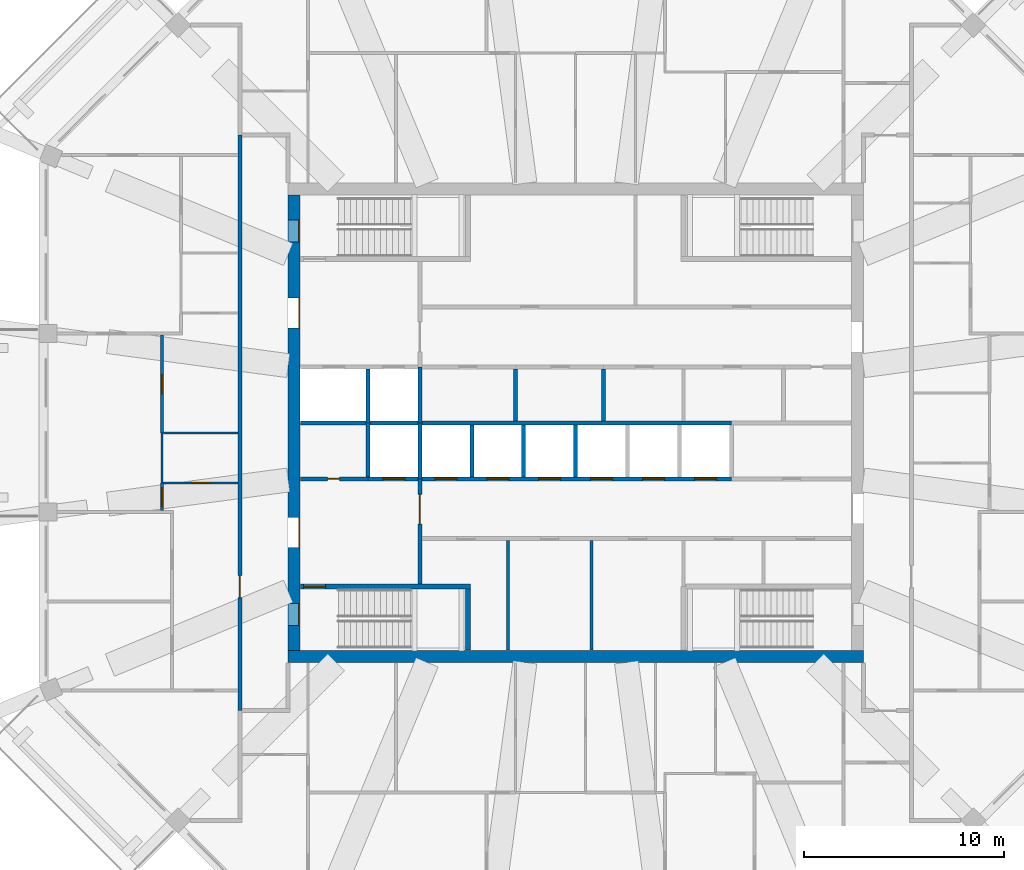
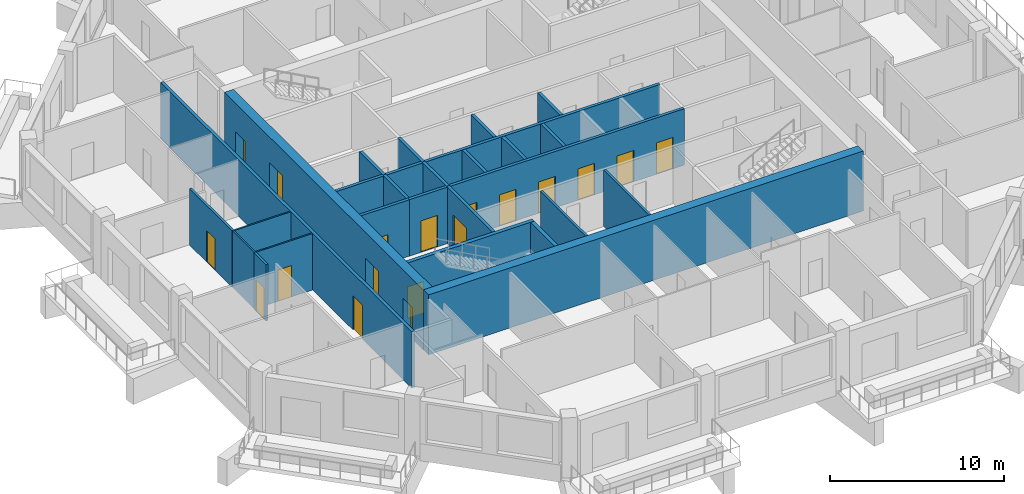
# One storey, part 4 of 12: 25 walls, 18 doors, 18 openings.
"""IFC4 building model written with IfcOpenShell, lengths in metres."""

import ifcopenshell
import ifcopenshell.guid

model = None  # the IFC model being written
_history = None  # IfcOwnerHistory: only IFC2X3 demands one
_inside = {}  # id of a spatial element -> (the spatial element, [elements in it])
_under = {}  # id of a project, library or spatial element -> (it, [spatial elements below it])
_declared = {}  # id of a project -> (the project, [libraries it declares])
_typed = {}  # id of a type object -> (the type object, [elements of that type])
_made_of = {}  # id of a material, layer set ... -> (it, [elements and type objects made of it])


def new_model(schema):
    """Start an empty IFC model of exactly this schema.

    Asked for "IFC4X3", IfcOpenShell would pick the latest addendum, in which some entities
    have other attributes; the version numbers below select the first issue.
    IFC2X3 requires an IfcOwnerHistory on every rooted entity: one is made here for all.
    """
    global model, _history
    if schema == "IFC4X3":
        model = ifcopenshell.file(schema_version=(4, 3, 0, 0))
    else:
        model = ifcopenshell.file(schema=schema)
    _inside.clear()
    _under.clear()
    _declared.clear()
    _typed.clear()
    _made_of.clear()
    _history = None
    if model.schema == "IFC2X3":
        org = make("IfcOrganization", Name="unknown")
        user = make(
            "IfcPersonAndOrganization",
            ThePerson=make("IfcPerson", FamilyName="unknown"),
            TheOrganization=org,
        )
        app = make(
            "IfcApplication",
            ApplicationDeveloper=org,
            Version="unknown",
            ApplicationFullName="unknown",
            ApplicationIdentifier="unknown",
        )
        _history = make(
            "IfcOwnerHistory",
            OwningUser=user,
            OwningApplication=app,
            ChangeAction="ADDED",
            CreationDate=0,
        )
    return model


def make(cls, **values):
    """One entity of the class cls with the attributes given. An attribute that is None is left unset."""
    return model.create_entity(
        cls, **{name: value for name, value in values.items() if value is not None}
    )


def rooted(cls, **values):
    """An entity with a GlobalId (a new one), such as an element, a storey or a relation."""
    return make(cls, GlobalId=ifcopenshell.guid.new(), OwnerHistory=_history, **values)


def si_unit(unit_type, name, prefix=None):
    """IfcSIUnit, for example si_unit("LENGTHUNIT", "METRE", prefix="MILLI")."""
    return make("IfcSIUnit", UnitType=unit_type, Prefix=prefix, Name=name)


def assignment(units):
    """IfcUnitAssignment: the units of a project."""
    return None if units is None else make("IfcUnitAssignment", Units=units)


def point(xyz):
    """IfcCartesianPoint."""
    return None if xyz is None else make("IfcCartesianPoint", Coordinates=xyz)


def direction(xyz):
    """IfcDirection."""
    return None if xyz is None else make("IfcDirection", DirectionRatios=xyz)


def frame(location, z_axis=None, x_axis=None):
    """IfcAxis2Placement3D, a coordinate frame: its origin and axes. An axis left out is left unset."""
    return make(
        "IfcAxis2Placement3D",
        Location=point(location),
        Axis=direction(z_axis),
        RefDirection=direction(x_axis),
    )


def frame_2d(location, x_axis=None):
    """IfcAxis2Placement2D, a coordinate frame in the plane: its origin and x axis."""
    return make(
        "IfcAxis2Placement2D", Location=point(location), RefDirection=direction(x_axis)
    )


def origin():
    """The frame at (0, 0, 0) with its axes left unset."""
    return frame((0.0, 0.0, 0.0))


def place(relative_to, where):
    """IfcLocalPlacement: puts the frame where relative to a parent placement (None: the world)."""
    return make(
        "IfcLocalPlacement", PlacementRelTo=relative_to, RelativePlacement=where
    )


def context(
    kind, dimensions, precision=None, world=None, true_north=None, identifier=None
):
    """IfcGeometricRepresentationContext, for example the 3D "Model" context."""
    return make(
        "IfcGeometricRepresentationContext",
        ContextIdentifier=identifier,
        ContextType=kind,
        CoordinateSpaceDimension=dimensions,
        Precision=precision,
        WorldCoordinateSystem=world,
        TrueNorth=true_north,
    )


def subcontext(parent, identifier, kind, view, scale=None):
    """IfcGeometricRepresentationSubContext, for example "Body" below "Model"."""
    return make(
        "IfcGeometricRepresentationSubContext",
        ContextIdentifier=identifier,
        ContextType=kind,
        ParentContext=parent,
        TargetScale=scale,
        TargetView=view,
    )


def project(units=None, contexts=None):
    """IfcProject with its units and contexts."""
    return rooted(
        "IfcProject",
        Name="project",
        RepresentationContexts=contexts,
        UnitsInContext=assignment(units),
    )


def spatial(cls, under=None, at=None, **own):
    """A site, building, storey or space (cls), placed at a placement, below another one or the project."""
    s = rooted(cls, ObjectPlacement=at, **own)
    if under is not None:
        _under.setdefault(under.id(), (under, []))[1].append(s)
    return s


def profile(cls, at=None, kind="AREA", **sizes):
    """A parametric profile (cls). Its sizes go by their IFC names, for example OverallWidth=200.0."""
    return make(cls, ProfileType=kind, Position=at, **sizes)


def rectangle(**sizes):
    """IfcRectangleProfileDef."""
    return profile("IfcRectangleProfileDef", **sizes)


def extrude(swept, where, along, depth):
    """IfcExtrudedAreaSolid: the profile swept, set in the frame where, extruded along a direction by depth."""
    return make(
        "IfcExtrudedAreaSolid",
        SweptArea=swept,
        Position=where,
        ExtrudedDirection=direction(along),
        Depth=depth,
    )


def shape(context_of_items, identifier, shape_type, items):
    """IfcShapeRepresentation: the items that make up one representation, for example the "Body"."""
    return make(
        "IfcShapeRepresentation",
        ContextOfItems=context_of_items,
        RepresentationIdentifier=identifier,
        RepresentationType=shape_type,
        Items=items,
    )


def material(Name=None, Category=None):
    """IfcMaterial."""
    return make("IfcMaterial", Name=Name, Category=Category)


def layer(
    of_material, thickness, ventilated=None, Name=None, Category=None, Priority=None
):
    """IfcMaterialLayer: one layer of a wall or slab, of a material (None: an air gap)."""
    return make(
        "IfcMaterialLayer",
        Material=of_material,
        LayerThickness=thickness,
        IsVentilated=ventilated,
        Name=Name,
        Category=Category,
        Priority=Priority,
    )


def layer_set(layers, Name=None):
    """IfcMaterialLayerSet."""
    return make("IfcMaterialLayerSet", MaterialLayers=layers, LayerSetName=Name)


def made_of(thing, what):
    """Note that an element or type object is made of a material, layer set ...; save() writes the relation."""
    if what is not None:
        _made_of.setdefault(what.id(), (what, []))[1].append(thing)
    return thing


def type_object(cls, material=None, **own):
    """A type object (cls), such as IfcWallType, which elements share."""
    return made_of(rooted(cls, **own), material)


def element(
    cls,
    number,
    at=None,
    inside=None,
    cuts=None,
    type_object=None,
    material=None,
    context=None,
    identifier="Body",
    shape_type=None,
    held_by="IfcProductDefinitionShape",
    body=None,
    shapes=None,
    **own,
):
    """One element of the class cls, such as IfcWall. Its Tag is "e" and its number.

    at: its placement. inside: the storey or other place that contains it. cuts: it is an
    opening in that element (IfcRelVoidsElement). A single representation is given by context,
    identifier, shape_type and body (its items); several are given by shapes. held_by: the class
    of the entity that holds the representations. save() writes the other relations.
    """
    e = rooted(cls, Tag="e%d" % number, ObjectPlacement=at, **own)
    if body is not None:
        shapes = [shape(context, identifier, shape_type, body)]
    if shapes is not None:
        e.Representation = make(held_by, Representations=shapes)
    if inside is not None:
        _inside.setdefault(inside.id(), (inside, []))[1].append(e)
    if cuts is not None:
        rooted(
            "IfcRelVoidsElement", RelatingBuildingElement=cuts, RelatedOpeningElement=e
        )
    if type_object is not None:
        _typed.setdefault(type_object.id(), (type_object, []))[1].append(e)
    return made_of(e, material)


def fill(opening, filler):
    """IfcRelFillsElement: the door or window that sits in an opening."""
    return rooted(
        "IfcRelFillsElement",
        RelatingOpeningElement=opening,
        RelatedBuildingElement=filler,
    )


def aggregate(whole, parts):
    """IfcRelAggregates: a whole, such as a stair, and the parts it consists of."""
    return rooted("IfcRelAggregates", RelatingObject=whole, RelatedObjects=parts)


def save(model, path):
    """Write the relations noted so far, then the file.

    IfcRelAggregates (storeys below a building ...), IfcRelContainedInSpatialStructure (elements
    in a storey), IfcRelDefinesByType, IfcRelAssociatesMaterial and IfcRelDeclares: one each for
    every whole, place, type object, material and project.
    """
    for whole, parts in _under.values():
        aggregate(whole, parts)
    for where, things in _inside.values():
        rooted(
            "IfcRelContainedInSpatialStructure",
            RelatedElements=things,
            RelatingStructure=where,
        )
    for kind, things in _typed.values():
        rooted("IfcRelDefinesByType", RelatedObjects=things, RelatingType=kind)
    for what, things in _made_of.values():
        rooted("IfcRelAssociatesMaterial", RelatedObjects=things, RelatingMaterial=what)
    for by, libraries in _declared.values():
        rooted("IfcRelDeclares", RelatingContext=by, RelatedDefinitions=libraries)
    model.write(path)


model = new_model("IFC4")

# Units and contexts
model_context = context("Model", 3, precision=1e-05, world=origin(), true_north=direction((0.0, 1.0)))
body_context = subcontext(model_context, "Body", "Model", "MODEL_VIEW")
ifc_project = project(units=[si_unit("LENGTHUNIT", "METRE"), si_unit("AREAUNIT", "SQUARE_METRE"), si_unit("VOLUMEUNIT", "CUBIC_METRE"), si_unit("PLANEANGLEUNIT", "RADIAN"), si_unit("MASSUNIT", "GRAM", prefix="KILO")], contexts=[model_context])

# Site, building, storey
site_placement = place(None, origin())
site = spatial("IfcSite", under=ifc_project, at=site_placement, CompositionType="ELEMENT")
building_placement = place(site_placement, origin())
building = spatial("IfcBuilding", under=site, at=building_placement, Name="Msitu Wima Residences", CompositionType="ELEMENT")
storey_placement = place(building_placement, frame((0.0, 0.0, 213.89990234375)))
storey = spatial("IfcBuildingStorey", under=building, at=storey_placement, Name="L49", CompositionType="ELEMENT", Elevation=213.89990234375)

# Wall
ifc_material_1 = material(Name="Concrete C50/60", Category="concrete")
ifc_layer_1 = layer(ifc_material_1, 0.60009765625)
ifc_layer_set_1 = layer_set([ifc_layer_1], Name="Concrete C50/60")
wall_type_1 = type_object("IfcWallType", Name="Core wall CW600 C50/60", PredefinedType="SHEAR", material=ifc_layer_set_1)
wall_1_placement = place(storey_placement, frame((-14.39990234375, -11.699951171875, 0.0), z_axis=(0.0, 0.0, 1.0), x_axis=(1.0, 0.0, 0.0)))
element("IfcWall", 1, at=wall_1_placement, inside=storey, type_object=wall_type_1, Name="Core wall", PredefinedType="SHEAR", context=body_context, shape_type="SweptSolid", body=[
    extrude(rectangle(XDim=28.7998046875, YDim=0.60009765625, at=frame_2d((14.39990234375, 0.0))), origin(), (0.0, 0.0, 1.0), 4.2001953125),
])

# Wall, openings, doors
wall_2_placement = place(storey_placement, frame((-14.10009765625, -11.39990234375, 0.0), z_axis=(0.0, 0.0, 1.0), x_axis=(0.0, 1.0, 0.0)))
wall_2 = element("IfcWall", 2, at=wall_2_placement, inside=storey, type_object=wall_type_1, Name="Core wall", PredefinedType="SHEAR", context=body_context, shape_type="SweptSolid", body=[
    extrude(rectangle(XDim=22.7998046875, YDim=0.60009765625, at=frame_2d((11.39990234375, 0.0))), origin(), (0.0, 0.0, 1.0), 4.2001953125),
])
opening_1_placement = place(wall_2_placement, frame((20.449951171875, 0.0, 0.0)))
opening_1 = element("IfcOpeningElement", 3, at=opening_1_placement, cuts=wall_2, Name="Opening D49.080", PredefinedType="OPENING", context=body_context, shape_type="SweptSolid", body=[
    extrude(rectangle(XDim=1.10009765625, YDim=2.199951171875, at=frame_2d((0.550048828125, 1.10009765625))), frame((0.0, 0.31005859375, 0.0), z_axis=(0.0, -1.0, 0.0), x_axis=(1.0, 0.0, 0.0)), (0.0, 0.0, 1.0), 0.6201171875),
])
opening_2_placement = place(wall_2_placement, frame((1.25, 0.0, 0.0)))
opening_2 = element("IfcOpeningElement", 4, at=opening_2_placement, cuts=wall_2, Name="Opening D49.082", PredefinedType="OPENING", context=body_context, shape_type="SweptSolid", body=[
    extrude(rectangle(XDim=1.10009765625, YDim=2.199951171875, at=frame_2d((0.550048828125, 1.10009765625))), frame((0.0, 0.31005859375, 0.0), z_axis=(0.0, -1.0, 0.0), x_axis=(1.0, 0.0, 0.0)), (0.0, 0.0, 1.0), 0.6201171875),
])
opening_3_placement = place(wall_2_placement, frame((16.14990234375, 0.0, 0.0)))
opening_3 = element("IfcOpeningElement", 5, at=opening_3_placement, cuts=wall_2, Name="Opening D49.061", PredefinedType="OPENING", context=body_context, shape_type="SweptSolid", body=[
    extrude(rectangle(XDim=1.5, YDim=2.39990234375, at=frame_2d((0.75, 1.199951171875))), frame((0.0, 0.31005859375, 0.0), z_axis=(0.0, -1.0, 0.0), x_axis=(1.0, 0.0, 0.0)), (0.0, 0.0, 1.0), 0.6201171875),
])
opening_4_placement = place(wall_2_placement, frame((5.14990234375, 0.0, 0.0)))
opening_4 = element("IfcOpeningElement", 6, at=opening_4_placement, cuts=wall_2, Name="Opening D49.063", PredefinedType="OPENING", context=body_context, shape_type="SweptSolid", body=[
    extrude(rectangle(XDim=1.5, YDim=2.39990234375, at=frame_2d((0.75, 1.199951171875))), frame((0.0, 0.31005859375, 0.0), z_axis=(0.0, -1.0, 0.0), x_axis=(1.0, 0.0, 0.0)), (0.0, 0.0, 1.0), 0.6201171875),
])
ifc_material_2 = material(Name="Steel framed glazed door, fire resisting", Category="steel")
door_type_1 = type_object("IfcDoorType", Name="Lobby door D07 1500x2400", OperationType="DOUBLE_DOOR_SINGLE_SWING", PredefinedType="DOOR", material=ifc_material_2)
door_1_placement = place(opening_3_placement, origin())
door_1 = element("IfcDoor", 7, at=door_1_placement, inside=storey, type_object=door_type_1, Name="Lobby door", OperationType="DOUBLE_DOOR_SINGLE_SWING", OverallHeight=2.39990234375, OverallWidth=1.5, PredefinedType="DOOR", context=body_context, shape_type="SweptSolid", body=[
    extrude(rectangle(XDim=1.5, YDim=2.39990234375, at=frame_2d((0.75, 1.199951171875))), frame((0.0, -0.2451171875, 0.0), z_axis=(0.0, -1.0, 0.0), x_axis=(1.0, 0.0, 0.0)), (0.0, 0.0, 1.0), 0.050048828125),
])
fill(opening_3, door_1)
door_2_placement = place(opening_4_placement, origin())
door_2 = element("IfcDoor", 8, at=door_2_placement, inside=storey, type_object=door_type_1, Name="Lobby door", OperationType="DOUBLE_DOOR_SINGLE_SWING", OverallHeight=2.39990234375, OverallWidth=1.5, PredefinedType="DOOR", context=body_context, shape_type="SweptSolid", body=[
    extrude(rectangle(XDim=1.5, YDim=2.39990234375, at=frame_2d((0.75, 1.199951171875))), frame((0.0, -0.2451171875, 0.0), z_axis=(0.0, -1.0, 0.0), x_axis=(1.0, 0.0, 0.0)), (0.0, 0.0, 1.0), 0.050048828125),
])
fill(opening_4, door_2)
ifc_material_3 = material(Name="Steel door, fire resisting, panic bar", Category="steel")
door_type_2 = type_object("IfcDoorType", Name="Stair door D06 1100x2200", OperationType="SINGLE_SWING_LEFT", PredefinedType="DOOR", material=ifc_material_3)
door_3_placement = place(opening_1_placement, origin())
door_3 = element("IfcDoor", 9, at=door_3_placement, inside=storey, type_object=door_type_2, Name="Stair door", OperationType="SINGLE_SWING_RIGHT", OverallHeight=2.199951171875, OverallWidth=1.10009765625, PredefinedType="DOOR", context=body_context, shape_type="SweptSolid", body=[
    extrude(rectangle(XDim=1.10009765625, YDim=2.199951171875, at=frame_2d((0.550048828125, 1.10009765625))), frame((0.0, -0.2451171875, 0.0), z_axis=(0.0, -1.0, 0.0), x_axis=(1.0, 0.0, 0.0)), (0.0, 0.0, 1.0), 0.050048828125),
])
fill(opening_1, door_3)
door_4_placement = place(opening_2_placement, origin())
door_4 = element("IfcDoor", 10, at=door_4_placement, inside=storey, type_object=door_type_2, Name="Stair door", OperationType="SINGLE_SWING_LEFT", OverallHeight=2.199951171875, OverallWidth=1.10009765625, PredefinedType="DOOR", context=body_context, shape_type="SweptSolid", body=[
    extrude(rectangle(XDim=1.10009765625, YDim=2.199951171875, at=frame_2d((0.550048828125, 1.10009765625))), frame((0.0, -0.2451171875, 0.0), z_axis=(0.0, -1.0, 0.0), x_axis=(1.0, 0.0, 0.0)), (0.0, 0.0, 1.0), 0.050048828125),
])
fill(opening_2, door_4)

# Wall, opening, door
ifc_material_4 = material(Name="Plaster")
ifc_layer_2 = layer(ifc_material_4, 0.011962890625, Name="Plaster")
ifc_material_5 = material(Name="Concrete blockwork", Category="masonry")
ifc_layer_3 = layer(ifc_material_5, 0.176025390625, Name="Concrete blockwork")
ifc_layer_4 = layer(ifc_material_4, 0.011962890625, Name="Plaster")
ifc_layer_set_2 = layer_set([ifc_layer_2, ifc_layer_3, ifc_layer_4], Name="Concrete blockwork")
wall_type_2 = type_object("IfcWallType", Name="Corridor wall FW200", PredefinedType="PARTITIONING", material=ifc_layer_set_2)
wall_3_placement = place(storey_placement, frame((-16.800048828125, -14.39990234375, 0.0), z_axis=(0.0, 0.0, 1.0), x_axis=(0.0, 1.0, 0.0)))
wall_3 = element("IfcWall", 11, at=wall_3_placement, inside=storey, type_object=wall_type_2, Name="Corridor wall", PredefinedType="PARTITIONING", context=body_context, shape_type="SweptSolid", body=[
    extrude(rectangle(XDim=28.7998046875, YDim=0.199951171875, at=frame_2d((14.39990234375, 0.0))), origin(), (0.0, 0.0, 1.0), 3.9501953125),
])
opening_5_placement = place(wall_3_placement, frame((5.64990234375, 0.0, 0.0)))
opening_5 = element("IfcOpeningElement", 12, at=opening_5_placement, cuts=wall_3, Name="Opening D49.035", PredefinedType="OPENING", context=body_context, shape_type="SweptSolid", body=[
    extrude(rectangle(XDim=1.10009765625, YDim=2.39990234375, at=frame_2d((0.550048828125, 1.199951171875))), frame((0.0, 0.10986328125, 0.0), z_axis=(0.0, -1.0, 0.0), x_axis=(1.0, 0.0, 0.0)), (0.0, 0.0, 1.0), 0.219970703125),
])
ifc_material_6 = material(Name="Timber flush door, fire resisting, self-closing", Category="wood")
door_type_3 = type_object("IfcDoorType", Name="Flat entrance door D01 1100x2400", OperationType="SINGLE_SWING_LEFT", PredefinedType="DOOR", material=ifc_material_6)
door_5_placement = place(opening_5_placement, origin())
door_5 = element("IfcDoor", 13, at=door_5_placement, inside=storey, type_object=door_type_3, Name="Flat entrance door", OperationType="SINGLE_SWING_LEFT", OverallHeight=2.39990234375, OverallWidth=1.10009765625, PredefinedType="DOOR", context=body_context, shape_type="SweptSolid", body=[
    extrude(rectangle(XDim=1.10009765625, YDim=2.39990234375, at=frame_2d((0.550048828125, 1.199951171875))), frame((0.0, 0.02490234375, 0.0), z_axis=(0.0, -1.0, 0.0), x_axis=(1.0, 0.0, 0.0)), (0.0, 0.0, 1.0), 0.050048828125),
])
fill(opening_5, door_5)

wall_4_placement = place(storey_placement, frame((-7.800048828125, -8.074951171875, 0.0), z_axis=(0.0, 0.0, 1.0), x_axis=(0.0, 1.0, 0.0)))
wall_4 = element("IfcWall", 14, at=wall_4_placement, inside=storey, type_object=wall_type_2, Name="Corridor wall", PredefinedType="PARTITIONING", context=body_context, shape_type="SweptSolid", body=[
    extrude(rectangle(XDim=5.27490234375, YDim=0.199951171875, at=frame_2d((2.637451171875, 0.0))), origin(), (0.0, 0.0, 1.0), 3.9501953125),
])
opening_6_placement = place(wall_4_placement, frame((3.0, 0.0, 0.0)))
opening_6 = element("IfcOpeningElement", 15, at=opening_6_placement, cuts=wall_4, Name="Opening D49.064", PredefinedType="OPENING", context=body_context, shape_type="SweptSolid", body=[
    extrude(rectangle(XDim=1.5, YDim=2.39990234375, at=frame_2d((0.75, 1.199951171875))), frame((0.0, 0.10986328125, 0.0), z_axis=(0.0, -1.0, 0.0), x_axis=(1.0, 0.0, 0.0)), (0.0, 0.0, 1.0), 0.219970703125),
])
door_6_placement = place(opening_6_placement, origin())
door_6 = element("IfcDoor", 16, at=door_6_placement, inside=storey, type_object=door_type_1, Name="Lobby door", OperationType="DOUBLE_DOOR_SINGLE_SWING", OverallHeight=2.39990234375, OverallWidth=1.5, PredefinedType="DOOR", context=body_context, shape_type="SweptSolid", body=[
    extrude(rectangle(XDim=1.5, YDim=2.39990234375, at=frame_2d((0.75, 1.199951171875))), frame((0.0, 0.02490234375, 0.0), z_axis=(0.0, -1.0, 0.0), x_axis=(1.0, 0.0, 0.0)), (0.0, 0.0, 1.0), 0.050048828125),
])
fill(opening_6, door_6)

ifc_layer_5 = layer(ifc_material_4, 0.011962890625, Name="Plaster")
ifc_layer_6 = layer(ifc_material_5, 0.1259765625, Name="Concrete blockwork")
ifc_layer_7 = layer(ifc_material_4, 0.011962890625, Name="Plaster")
ifc_layer_set_3 = layer_set([ifc_layer_5, ifc_layer_6, ifc_layer_7], Name="Concrete blockwork")
wall_type_3 = type_object("IfcWallType", Name="Partition PW150", PredefinedType="PARTITIONING", material=ifc_layer_set_3)
wall_5_placement = place(storey_placement, frame((-20.699951171875, -4.3935546875, 0.0), z_axis=(0.0, 0.0, 1.0), x_axis=(0.0, 1.0, 0.0)))
wall_5 = element("IfcWall", 17, at=wall_5_placement, inside=storey, type_object=wall_type_3, Name="Partition", PredefinedType="PARTITIONING", context=body_context, shape_type="SweptSolid", body=[
    extrude(rectangle(XDim=1.37353515625, YDim=0.14990234375, at=frame_2d((0.686767578125, 0.0))), origin(), (0.0, 0.0, 1.0), 3.9501953125),
])
opening_7_placement = place(wall_5_placement, frame((0.199951171875, 0.0, 0.0)))
opening_7 = element("IfcOpeningElement", 18, at=opening_7_placement, cuts=wall_5, Name="Opening D49.041", PredefinedType="OPENING", context=body_context, shape_type="SweptSolid", body=[
    extrude(rectangle(XDim=0.949951171875, YDim=2.199951171875, at=frame_2d((0.47509765625, 1.10009765625))), frame((0.0, 0.0849609375, 0.0), z_axis=(0.0, -1.0, 0.0), x_axis=(1.0, 0.0, 0.0)), (0.0, 0.0, 1.0), 0.169921875),
])
ifc_material_7 = material(Name="Timber flush door", Category="wood")
door_type_4 = type_object("IfcDoorType", Name="Room door D12 950x2200", OperationType="SINGLE_SWING_LEFT", PredefinedType="DOOR", material=ifc_material_7)
door_7_placement = place(opening_7_placement, origin())
door_7 = element("IfcDoor", 19, at=door_7_placement, inside=storey, type_object=door_type_4, Name="Room door", OperationType="SINGLE_SWING_LEFT", OverallHeight=2.199951171875, OverallWidth=0.949951171875, PredefinedType="DOOR", context=body_context, shape_type="SweptSolid", body=[
    extrude(rectangle(XDim=0.949951171875, YDim=2.199951171875, at=frame_2d((0.47509765625, 1.10009765625))), frame((0.0, 0.02490234375, 0.0), z_axis=(0.0, -1.0, 0.0), x_axis=(1.0, 0.0, 0.0)), (0.0, 0.0, 1.0), 0.050048828125),
])
fill(opening_7, door_7)

wall_6_placement = place(storey_placement, frame((-20.699951171875, -0.5, 0.0), z_axis=(0.0, 0.0, 1.0), x_axis=(0.0, 1.0, 0.0)))
wall_6 = element("IfcWall", 20, at=wall_6_placement, inside=storey, type_object=wall_type_3, Name="Partition", PredefinedType="PARTITIONING", context=body_context, shape_type="SweptSolid", body=[
    extrude(rectangle(XDim=4.8935546875, YDim=0.14990234375, at=frame_2d((2.44677734375, 0.0))), origin(), (0.0, 0.0, 1.0), 3.9501953125),
])
opening_8_placement = place(wall_6_placement, frame((1.949951171875, 0.0, 0.0)))
opening_8 = element("IfcOpeningElement", 21, at=opening_8_placement, cuts=wall_6, Name="Opening D49.044", PredefinedType="OPENING", context=body_context, shape_type="SweptSolid", body=[
    extrude(rectangle(XDim=0.949951171875, YDim=2.199951171875, at=frame_2d((0.47509765625, 1.10009765625))), frame((0.0, 0.0849609375, 0.0), z_axis=(0.0, -1.0, 0.0), x_axis=(1.0, 0.0, 0.0)), (0.0, 0.0, 1.0), 0.169921875),
])
door_8_placement = place(opening_8_placement, origin())
door_8 = element("IfcDoor", 22, at=door_8_placement, inside=storey, type_object=door_type_4, Name="Room door", OperationType="SINGLE_SWING_RIGHT", OverallHeight=2.199951171875, OverallWidth=0.949951171875, PredefinedType="DOOR", context=body_context, shape_type="SweptSolid", body=[
    extrude(rectangle(XDim=0.949951171875, YDim=2.199951171875, at=frame_2d((0.47509765625, 1.10009765625))), frame((0.0, 0.02490234375, 0.0), z_axis=(0.0, -1.0, 0.0), x_axis=(1.0, 0.0, 0.0)), (0.0, 0.0, 1.0), 0.050048828125),
])
fill(opening_8, door_8)

# Walls
for number, where, z_axis, x_axis, name in (
    (23, (-3.39990234375, -11.3701171875, 0.0), (0.0, 0.0, 1.0), (0.0, 1.0, 0.0), "Partition"),
    (24, (0.800048828125, -11.3701171875, 0.0), (0.0, 0.0, 1.0), (0.0, 1.0, 0.0), "Partition"),
):
    element("IfcWall", number, at=place(storey_placement, frame(where, z_axis=z_axis, x_axis=x_axis)), inside=storey, type_object=wall_type_3, Name=name, PredefinedType="PARTITIONING", context=body_context, shape_type="SweptSolid", body=[
        extrude(rectangle(XDim=5.47021484375, YDim=0.14990234375, at=frame_2d((2.735107421875, 0.0))), origin(), (0.0, 0.0, 1.0), 3.9501953125),
    ])

# Wall, opening, door
ifc_layer_8 = layer(ifc_material_4, 0.011962890625, Name="Plaster")
ifc_material_8 = material(Name="Reinforced concrete blockwork", Category="masonry")
ifc_layer_9 = layer(ifc_material_8, 0.176025390625, Name="Reinforced concrete blockwork")
ifc_layer_10 = layer(ifc_material_4, 0.011962890625, Name="Plaster")
ifc_layer_set_4 = layer_set([ifc_layer_8, ifc_layer_9, ifc_layer_10], Name="Reinforced concrete blockwork")
wall_type_4 = type_object("IfcWallType", Name="Plant and riser wall PL200", PredefinedType="PARTITIONING", material=ifc_layer_set_4)
wall_7_placement = place(storey_placement, frame((-13.77001953125, -2.800048828125, 0.0), z_axis=(0.0, 0.0, 1.0), x_axis=(1.0, 0.0, 0.0)))
wall_7 = element("IfcWall", 25, at=wall_7_placement, inside=storey, type_object=wall_type_4, Name="Plant and riser wall", PredefinedType="PARTITIONING", context=body_context, shape_type="SweptSolid", body=[
    extrude(rectangle(XDim=3.3701171875, YDim=0.199951171875, at=frame_2d((1.68505859375, 0.0))), origin(), (0.0, 0.0, 1.0), 3.9501953125),
])
opening_9_placement = place(wall_7_placement, frame((1.35009765625, 0.0, 0.0)))
opening_9 = element("IfcOpeningElement", 26, at=opening_9_placement, cuts=wall_7, Name="Opening D49.079", PredefinedType="OPENING", context=body_context, shape_type="SweptSolid", body=[
    extrude(rectangle(XDim=0.60009765625, YDim=2.0, at=frame_2d((0.300048828125, 1.0))), frame((0.0, 0.10986328125, 0.0), z_axis=(0.0, -1.0, 0.0), x_axis=(1.0, 0.0, 0.0)), (0.0, 0.0, 1.0), 0.219970703125),
])
ifc_material_9 = material(Name="Steel access door, fire resisting", Category="steel")
door_type_5 = type_object("IfcDoorType", Name="Riser access door D08 600x2000", OperationType="SINGLE_SWING_LEFT", PredefinedType="DOOR", material=ifc_material_9)
door_9_placement = place(opening_9_placement, origin())
door_9 = element("IfcDoor", 27, at=door_9_placement, inside=storey, type_object=door_type_5, Name="Riser access door", OperationType="SINGLE_SWING_RIGHT", OverallHeight=2.0, OverallWidth=0.60009765625, PredefinedType="DOOR", context=body_context, shape_type="SweptSolid", body=[
    extrude(rectangle(XDim=0.60009765625, YDim=2.0, at=frame_2d((0.300048828125, 1.0))), frame((0.0, 0.02490234375, 0.0), z_axis=(0.0, -1.0, 0.0), x_axis=(1.0, 0.0, 0.0)), (0.0, 0.0, 1.0), 0.050048828125),
])
fill(opening_9, door_9)

# Walls
for number, where, z_axis, x_axis, name in (
    (28, (-3.0, 0.10009765625, 0.0), (0.0, 0.0, 1.0), (0.0, 1.0, 0.0), "Plant and riser wall"),
    (29, (1.39990234375, 0.10009765625, 0.0), (0.0, 0.0, 1.0), (0.0, 1.0, 0.0), "Plant and riser wall"),
):
    element("IfcWall", number, at=place(storey_placement, frame(where, z_axis=z_axis, x_axis=x_axis)), inside=storey, type_object=wall_type_4, Name=name, PredefinedType="PARTITIONING", context=body_context, shape_type="SweptSolid", body=[
        extrude(rectangle(XDim=2.599853515625, YDim=0.199951171875, at=frame_2d((1.2998046875, 0.0))), origin(), (0.0, 0.0, 1.0), 3.9501953125),
    ])
ifc_material_10 = material(Name="Fire-rated board")
ifc_layer_11 = layer(ifc_material_10, 0.02490234375, Name="Fire-rated board")
ifc_material_11 = material(Name="Light-gauge stud framing with mineral wool")
ifc_layer_12 = layer(ifc_material_11, 0.14990234375, Name="Light-gauge stud framing with mineral wool")
ifc_layer_13 = layer(ifc_material_10, 0.02490234375, Name="Fire-rated board")
ifc_layer_set_5 = layer_set([ifc_layer_11, ifc_layer_12, ifc_layer_13], Name="Light-gauge stud framing with mineral wool")
wall_type_5 = type_object("IfcWallType", Name="Shaft wall SH200", PredefinedType="PARTITIONING", material=ifc_layer_set_5)
wall_8_placement = place(storey_placement, frame((-13.77001953125, 0.0, 0.0), z_axis=(0.0, 0.0, 1.0), x_axis=(1.0, 0.0, 0.0)))
element("IfcWall", 30, at=wall_8_placement, inside=storey, type_object=wall_type_5, Name="Shaft wall", PredefinedType="PARTITIONING", context=body_context, shape_type="SweptSolid", body=[
    extrude(rectangle(XDim=21.570068359375, YDim=0.199951171875, at=frame_2d((10.78515625, 0.0))), origin(), (0.0, 0.0, 1.0), 3.9501953125),
])
wall_9_placement = place(storey_placement, frame((-10.39990234375, -2.699951171875, 0.0), z_axis=(0.0, 0.0, 1.0), x_axis=(0.0, 1.0, 0.0)))
element("IfcWall", 31, at=wall_9_placement, inside=storey, type_object=wall_type_5, Name="Shaft wall", PredefinedType="PARTITIONING", context=body_context, shape_type="SweptSolid", body=[
    extrude(rectangle(XDim=2.699951171875, YDim=0.199951171875, at=frame_2d((1.35009765625, 0.0))), origin(), (0.0, 0.0, 1.0), 3.9501953125),
])

# Wall, openings, doors
wall_10_placement = place(storey_placement, frame((-10.39990234375, -2.800048828125, 0.0), z_axis=(0.0, 0.0, 1.0), x_axis=(1.0, 0.0, 0.0)))
wall_10 = element("IfcWall", 32, at=wall_10_placement, inside=storey, type_object=wall_type_5, Name="Shaft wall", PredefinedType="PARTITIONING", context=body_context, shape_type="SweptSolid", body=[
    extrude(rectangle(XDim=18.199951171875, YDim=0.199951171875, at=frame_2d((9.10009765625, 0.0))), origin(), (0.0, 0.0, 1.0), 3.9501953125),
])
opening_10_placement = place(wall_10_placement, frame((0.75, 0.0, 0.0)))
opening_10 = element("IfcOpeningElement", 33, at=opening_10_placement, cuts=wall_10, Name="Opening LD", PredefinedType="OPENING", context=body_context, shape_type="SweptSolid", body=[
    extrude(rectangle(XDim=1.10009765625, YDim=2.199951171875, at=frame_2d((0.550048828125, 1.10009765625))), frame((0.0, 0.10986328125, 0.0), z_axis=(0.0, -1.0, 0.0), x_axis=(1.0, 0.0, 0.0)), (0.0, 0.0, 1.0), 0.219970703125),
])
opening_11_placement = place(wall_10_placement, frame((3.35009765625, 0.0, 0.0)))
opening_11 = element("IfcOpeningElement", 34, at=opening_11_placement, cuts=wall_10, Name="Opening LD", PredefinedType="OPENING", context=body_context, shape_type="SweptSolid", body=[
    extrude(rectangle(XDim=1.10009765625, YDim=2.199951171875, at=frame_2d((0.550048828125, 1.10009765625))), frame((0.0, 0.10986328125, 0.0), z_axis=(0.0, -1.0, 0.0), x_axis=(1.0, 0.0, 0.0)), (0.0, 0.0, 1.0), 0.219970703125),
])
opening_12_placement = place(wall_10_placement, frame((5.949951171875, 0.0, 0.0)))
opening_12 = element("IfcOpeningElement", 35, at=opening_12_placement, cuts=wall_10, Name="Opening LD", PredefinedType="OPENING", context=body_context, shape_type="SweptSolid", body=[
    extrude(rectangle(XDim=1.10009765625, YDim=2.199951171875, at=frame_2d((0.550048828125, 1.10009765625))), frame((0.0, 0.10986328125, 0.0), z_axis=(0.0, -1.0, 0.0), x_axis=(1.0, 0.0, 0.0)), (0.0, 0.0, 1.0), 0.219970703125),
])
opening_13_placement = place(wall_10_placement, frame((8.550048828125, 0.0, 0.0)))
opening_13 = element("IfcOpeningElement", 36, at=opening_13_placement, cuts=wall_10, Name="Opening LD", PredefinedType="OPENING", context=body_context, shape_type="SweptSolid", body=[
    extrude(rectangle(XDim=1.10009765625, YDim=2.199951171875, at=frame_2d((0.550048828125, 1.10009765625))), frame((0.0, 0.10986328125, 0.0), z_axis=(0.0, -1.0, 0.0), x_axis=(1.0, 0.0, 0.0)), (0.0, 0.0, 1.0), 0.219970703125),
])
opening_14_placement = place(wall_10_placement, frame((11.14990234375, 0.0, 0.0)))
opening_14 = element("IfcOpeningElement", 37, at=opening_14_placement, cuts=wall_10, Name="Opening LD", PredefinedType="OPENING", context=body_context, shape_type="SweptSolid", body=[
    extrude(rectangle(XDim=1.10009765625, YDim=2.199951171875, at=frame_2d((0.550048828125, 1.10009765625))), frame((0.0, 0.10986328125, 0.0), z_axis=(0.0, -1.0, 0.0), x_axis=(1.0, 0.0, 0.0)), (0.0, 0.0, 1.0), 0.219970703125),
])
opening_15_placement = place(wall_10_placement, frame((13.75, 0.0, 0.0)))
opening_15 = element("IfcOpeningElement", 38, at=opening_15_placement, cuts=wall_10, Name="Opening LD", PredefinedType="OPENING", context=body_context, shape_type="SweptSolid", body=[
    extrude(rectangle(XDim=1.10009765625, YDim=2.199951171875, at=frame_2d((0.550048828125, 1.10009765625))), frame((0.0, 0.10986328125, 0.0), z_axis=(0.0, -1.0, 0.0), x_axis=(1.0, 0.0, 0.0)), (0.0, 0.0, 1.0), 0.219970703125),
])
opening_16_placement = place(wall_10_placement, frame((16.35009765625, 0.0, 0.0)))
opening_16 = element("IfcOpeningElement", 39, at=opening_16_placement, cuts=wall_10, Name="Opening LD", PredefinedType="OPENING", context=body_context, shape_type="SweptSolid", body=[
    extrude(rectangle(XDim=1.10009765625, YDim=2.199951171875, at=frame_2d((0.550048828125, 1.10009765625))), frame((0.0, 0.10986328125, 0.0), z_axis=(0.0, -1.0, 0.0), x_axis=(1.0, 0.0, 0.0)), (0.0, 0.0, 1.0), 0.219970703125),
])
ifc_material_12 = material(Name="Stainless steel centre-opening landing door, rated", Category="steel")
door_type_6 = type_object("IfcDoorType", Name="Lift landing door LD 1100x2200", OperationType="DOUBLE_DOOR_SLIDING", PredefinedType="DOOR", material=ifc_material_12)
door_10_placement = place(opening_10_placement, origin())
door_10 = element("IfcDoor", 40, at=door_10_placement, inside=storey, type_object=door_type_6, Name="Lift landing door LD3", OperationType="DOUBLE_DOOR_SLIDING", OverallHeight=2.199951171875, OverallWidth=1.10009765625, PredefinedType="DOOR", context=body_context, shape_type="SweptSolid", body=[
    extrude(rectangle(XDim=1.10009765625, YDim=2.199951171875, at=frame_2d((0.550048828125, 1.10009765625))), frame((0.0, 0.02490234375, 0.0), z_axis=(0.0, -1.0, 0.0), x_axis=(1.0, 0.0, 0.0)), (0.0, 0.0, 1.0), 0.050048828125),
])
fill(opening_10, door_10)
door_11_placement = place(opening_11_placement, origin())
door_11 = element("IfcDoor", 41, at=door_11_placement, inside=storey, type_object=door_type_6, Name="Lift landing door LD5", OperationType="DOUBLE_DOOR_SLIDING", OverallHeight=2.199951171875, OverallWidth=1.10009765625, PredefinedType="DOOR", context=body_context, shape_type="SweptSolid", body=[
    extrude(rectangle(XDim=1.10009765625, YDim=2.199951171875, at=frame_2d((0.550048828125, 1.10009765625))), frame((0.0, 0.02490234375, 0.0), z_axis=(0.0, -1.0, 0.0), x_axis=(1.0, 0.0, 0.0)), (0.0, 0.0, 1.0), 0.050048828125),
])
fill(opening_11, door_11)
door_12_placement = place(opening_12_placement, origin())
door_12 = element("IfcDoor", 42, at=door_12_placement, inside=storey, type_object=door_type_6, Name="Lift landing door LD7", OperationType="DOUBLE_DOOR_SLIDING", OverallHeight=2.199951171875, OverallWidth=1.10009765625, PredefinedType="DOOR", context=body_context, shape_type="SweptSolid", body=[
    extrude(rectangle(XDim=1.10009765625, YDim=2.199951171875, at=frame_2d((0.550048828125, 1.10009765625))), frame((0.0, 0.02490234375, 0.0), z_axis=(0.0, -1.0, 0.0), x_axis=(1.0, 0.0, 0.0)), (0.0, 0.0, 1.0), 0.050048828125),
])
fill(opening_12, door_12)
door_13_placement = place(opening_13_placement, origin())
door_13 = element("IfcDoor", 43, at=door_13_placement, inside=storey, type_object=door_type_6, Name="Lift landing door LD9", OperationType="DOUBLE_DOOR_SLIDING", OverallHeight=2.199951171875, OverallWidth=1.10009765625, PredefinedType="DOOR", context=body_context, shape_type="SweptSolid", body=[
    extrude(rectangle(XDim=1.10009765625, YDim=2.199951171875, at=frame_2d((0.550048828125, 1.10009765625))), frame((0.0, 0.02490234375, 0.0), z_axis=(0.0, -1.0, 0.0), x_axis=(1.0, 0.0, 0.0)), (0.0, 0.0, 1.0), 0.050048828125),
])
fill(opening_13, door_13)
door_14_placement = place(opening_14_placement, origin())
door_14 = element("IfcDoor", 44, at=door_14_placement, inside=storey, type_object=door_type_6, Name="Lift landing door LD11", OperationType="DOUBLE_DOOR_SLIDING", OverallHeight=2.199951171875, OverallWidth=1.10009765625, PredefinedType="DOOR", context=body_context, shape_type="SweptSolid", body=[
    extrude(rectangle(XDim=1.10009765625, YDim=2.199951171875, at=frame_2d((0.550048828125, 1.10009765625))), frame((0.0, 0.02490234375, 0.0), z_axis=(0.0, -1.0, 0.0), x_axis=(1.0, 0.0, 0.0)), (0.0, 0.0, 1.0), 0.050048828125),
])
fill(opening_14, door_14)
door_15_placement = place(opening_15_placement, origin())
door_15 = element("IfcDoor", 45, at=door_15_placement, inside=storey, type_object=door_type_6, Name="Lift landing door LD13", OperationType="DOUBLE_DOOR_SLIDING", OverallHeight=2.199951171875, OverallWidth=1.10009765625, PredefinedType="DOOR", context=body_context, shape_type="SweptSolid", body=[
    extrude(rectangle(XDim=1.10009765625, YDim=2.199951171875, at=frame_2d((0.550048828125, 1.10009765625))), frame((0.0, 0.02490234375, 0.0), z_axis=(0.0, -1.0, 0.0), x_axis=(1.0, 0.0, 0.0)), (0.0, 0.0, 1.0), 0.050048828125),
])
fill(opening_15, door_15)
door_16_placement = place(opening_16_placement, origin())
door_16 = element("IfcDoor", 46, at=door_16_placement, inside=storey, type_object=door_type_6, Name="Lift landing door LD15", OperationType="DOUBLE_DOOR_SLIDING", OverallHeight=2.199951171875, OverallWidth=1.10009765625, PredefinedType="DOOR", context=body_context, shape_type="SweptSolid", body=[
    extrude(rectangle(XDim=1.10009765625, YDim=2.199951171875, at=frame_2d((0.550048828125, 1.10009765625))), frame((0.0, 0.02490234375, 0.0), z_axis=(0.0, -1.0, 0.0), x_axis=(1.0, 0.0, 0.0)), (0.0, 0.0, 1.0), 0.050048828125),
])
fill(opening_16, door_16)

# Walls
wall_11_placement = place(storey_placement, frame((-10.39990234375, 0.0, 0.0), z_axis=(0.0, 0.0, 1.0), x_axis=(0.0, 1.0, 0.0)))
element("IfcWall", 47, at=wall_11_placement, inside=storey, type_object=wall_type_5, Name="Shaft wall", PredefinedType="PARTITIONING", context=body_context, shape_type="SweptSolid", body=[
    extrude(rectangle(XDim=2.699951171875, YDim=0.199951171875, at=frame_2d((1.35009765625, 0.0))), origin(), (0.0, 0.0, 1.0), 3.9501953125),
])
for number, where, z_axis, x_axis, name in (
    (48, (-7.800048828125, -2.800048828125, 0.0), (0.0, 0.0, 1.0), (0.0, 1.0, 0.0), "Shaft wall"),
    (49, (-7.800048828125, 0.0, 0.0), (0.0, 0.0, 1.0), (0.0, 1.0, 0.0), "Shaft wall"),
):
    element("IfcWall", number, at=place(storey_placement, frame(where, z_axis=z_axis, x_axis=x_axis)), inside=storey, type_object=wall_type_5, Name=name, PredefinedType="PARTITIONING", context=body_context, shape_type="SweptSolid", body=[
        extrude(rectangle(XDim=2.800048828125, YDim=0.199951171875, at=frame_2d((1.39990234375, 0.0))), origin(), (0.0, 0.0, 1.0), 3.9501953125),
    ])
for number, where, z_axis, x_axis, name in (
    (50, (-5.199951171875, -2.699951171875, 0.0), (0.0, 0.0, 1.0), (0.0, 1.0, 0.0), "Shaft wall"),
    (51, (-2.60009765625, -2.699951171875, 0.0), (0.0, 0.0, 1.0), (0.0, 1.0, 0.0), "Shaft wall"),
    (52, (0.0, -2.699951171875, 0.0), (0.0, 0.0, 1.0), (0.0, 1.0, 0.0), "Shaft wall"),
):
    element("IfcWall", number, at=place(storey_placement, frame(where, z_axis=z_axis, x_axis=x_axis)), inside=storey, type_object=wall_type_5, Name=name, PredefinedType="PARTITIONING", context=body_context, shape_type="SweptSolid", body=[
        extrude(rectangle(XDim=2.599853515625, YDim=0.199951171875, at=frame_2d((1.2998046875, 0.0))), origin(), (0.0, 0.0, 1.0), 3.9501953125),
    ])

# Wall, opening, door
ifc_layer_14 = layer(ifc_material_1, 0.25)
ifc_layer_set_6 = layer_set([ifc_layer_14], Name="Concrete C50/60")
wall_type_6 = type_object("IfcWallType", Name="Stair enclosure wall SW250", PredefinedType="SHEAR", material=ifc_layer_set_6)
wall_12_placement = place(storey_placement, frame((-13.77001953125, -8.199951171875, 0.0), z_axis=(0.0, 0.0, 1.0), x_axis=(1.0, 0.0, 0.0)))
wall_12 = element("IfcWall", 53, at=wall_12_placement, inside=storey, type_object=wall_type_6, Name="Stair enclosure wall", PredefinedType="SHEAR", context=body_context, shape_type="SweptSolid", body=[
    extrude(rectangle(XDim=8.4951171875, YDim=0.25, at=frame_2d((4.24755859375, 0.0))), origin(), (0.0, 0.0, 1.0), 3.9501953125),
])
opening_17_placement = place(wall_12_placement, frame((0.14990234375, 0.0, 0.0)))
opening_17 = element("IfcOpeningElement", 54, at=opening_17_placement, cuts=wall_12, Name="Opening D49.083", PredefinedType="OPENING", context=body_context, shape_type="SweptSolid", body=[
    extrude(rectangle(XDim=1.10009765625, YDim=2.199951171875, at=frame_2d((0.550048828125, 1.10009765625))), frame((0.0, 0.135009765625, 0.0), z_axis=(0.0, -1.0, 0.0), x_axis=(1.0, 0.0, 0.0)), (0.0, 0.0, 1.0), 0.27001953125),
])
door_17_placement = place(opening_17_placement, origin())
door_17 = element("IfcDoor", 55, at=door_17_placement, inside=storey, type_object=door_type_2, Name="Stair door", OperationType="SINGLE_SWING_RIGHT", OverallHeight=2.199951171875, OverallWidth=1.10009765625, PredefinedType="DOOR", context=body_context, shape_type="SweptSolid", body=[
    extrude(rectangle(XDim=1.10009765625, YDim=2.199951171875, at=frame_2d((0.550048828125, 1.10009765625))), frame((0.0, 0.02490234375, 0.0), z_axis=(0.0, -1.0, 0.0), x_axis=(1.0, 0.0, 0.0)), (0.0, 0.0, 1.0), 0.050048828125),
])
fill(opening_17, door_17)

# Walls
wall_13_placement = place(storey_placement, frame((-5.39990234375, -11.3701171875, 0.0), z_axis=(0.0, 0.0, 1.0), x_axis=(0.0, 1.0, 0.0)))
element("IfcWall", 56, at=wall_13_placement, inside=storey, type_object=wall_type_6, Name="Stair enclosure wall", PredefinedType="SHEAR", context=body_context, shape_type="SweptSolid", body=[
    extrude(rectangle(XDim=3.045166015625, YDim=0.25, at=frame_2d((1.5224609375, 0.0))), origin(), (0.0, 0.0, 1.0), 3.9501953125),
])
ifc_material_13 = material(Name="Ceramic tiles")
ifc_layer_15 = layer(ifc_material_13, 0.008056640625, Name="Ceramic tiles")
ifc_material_14 = material(Name="Moisture-resistant board")
ifc_layer_16 = layer(ifc_material_14, 0.012451171875, Name="Moisture-resistant board")
ifc_layer_17 = layer(ifc_material_11, 0.06689453125, Name="Light-gauge stud framing with mineral wool")
ifc_layer_18 = layer(ifc_material_14, 0.012451171875, Name="Moisture-resistant board")
ifc_layer_set_7 = layer_set([ifc_layer_15, ifc_layer_16, ifc_layer_17, ifc_layer_18], Name="Light-gauge stud framing with mineral wool")
wall_type_7 = type_object("IfcWallType", Name="Wet wall PW100", PredefinedType="PARTITIONING", material=ifc_layer_set_7)
wall_14_placement = place(storey_placement, frame((-20.699951171875, -3.02001953125, 0.0), z_axis=(0.0, 0.0, 1.0), x_axis=(0.0, 1.0, 0.0)))
element("IfcWall", 57, at=wall_14_placement, inside=storey, type_object=wall_type_7, Name="Wet wall", PredefinedType="PARTITIONING", context=body_context, shape_type="SweptSolid", body=[
    extrude(rectangle(XDim=2.52001953125, YDim=0.10009765625, at=frame_2d((1.260009765625, 0.0))), origin(), (0.0, 0.0, 1.0), 3.9501953125),
])

# Wall, opening, door
wall_15_placement = place(storey_placement, frame((-20.64990234375, -3.0, 0.0), z_axis=(0.0, 0.0, 1.0), x_axis=(1.0, 0.0, 0.0)))
wall_15 = element("IfcWall", 58, at=wall_15_placement, inside=storey, type_object=wall_type_7, Name="Wet wall", PredefinedType="PARTITIONING", context=body_context, shape_type="SweptSolid", body=[
    extrude(rectangle(XDim=3.75, YDim=0.10009765625, at=frame_2d((1.875, 0.0))), origin(), (0.0, 0.0, 1.0), 3.9501953125),
])
opening_18_placement = place(wall_15_placement, frame((1.449951171875, 0.0, 0.0)))
opening_18 = element("IfcOpeningElement", 59, at=opening_18_placement, cuts=wall_15, Name="Opening D49.038", PredefinedType="OPENING", context=body_context, shape_type="SweptSolid", body=[
    extrude(rectangle(XDim=0.89990234375, YDim=2.199951171875, at=frame_2d((0.449951171875, 1.10009765625))), frame((0.0, 0.06005859375, 0.0), z_axis=(0.0, -1.0, 0.0), x_axis=(1.0, 0.0, 0.0)), (0.0, 0.0, 1.0), 0.1201171875),
])
ifc_material_15 = material(Name="Timber flush door, moisture resistant", Category="wood")
door_type_7 = type_object("IfcDoorType", Name="Bathroom door D03 900x2200", OperationType="SINGLE_SWING_LEFT", PredefinedType="DOOR", material=ifc_material_15)
door_18_placement = place(opening_18_placement, origin())
door_18 = element("IfcDoor", 60, at=door_18_placement, inside=storey, type_object=door_type_7, Name="Bathroom door", OperationType="SINGLE_SWING_RIGHT", OverallHeight=2.199951171875, OverallWidth=0.89990234375, PredefinedType="DOOR", context=body_context, shape_type="SweptSolid", body=[
    extrude(rectangle(XDim=0.89990234375, YDim=2.199951171875, at=frame_2d((0.449951171875, 1.10009765625))), frame((0.0, 0.02490234375, 0.0), z_axis=(0.0, -1.0, 0.0), x_axis=(1.0, 0.0, 0.0)), (0.0, 0.0, 1.0), 0.050048828125),
])
fill(opening_18, door_18)

# Wall
wall_16_placement = place(storey_placement, frame((-20.625, -0.5, 0.0), z_axis=(0.0, 0.0, 1.0), x_axis=(1.0, 0.0, 0.0)))
element("IfcWall", 61, at=wall_16_placement, inside=storey, type_object=wall_type_7, Name="Wet wall", PredefinedType="PARTITIONING", context=body_context, shape_type="SweptSolid", body=[
    extrude(rectangle(XDim=3.72509765625, YDim=0.10009765625, at=frame_2d((1.862548828125, 0.0))), origin(), (0.0, 0.0, 1.0), 3.9501953125),
])

save(model, "model.ifc")
